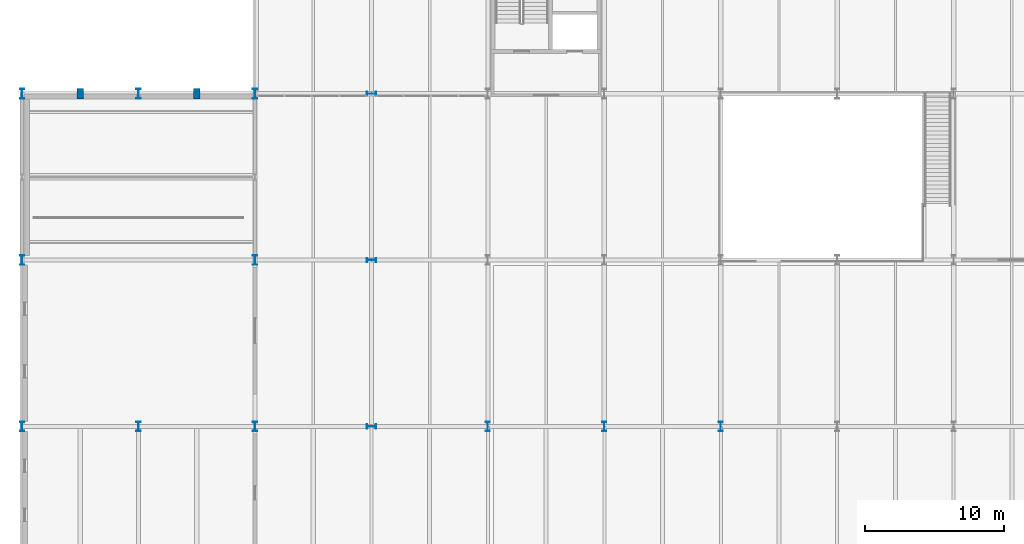
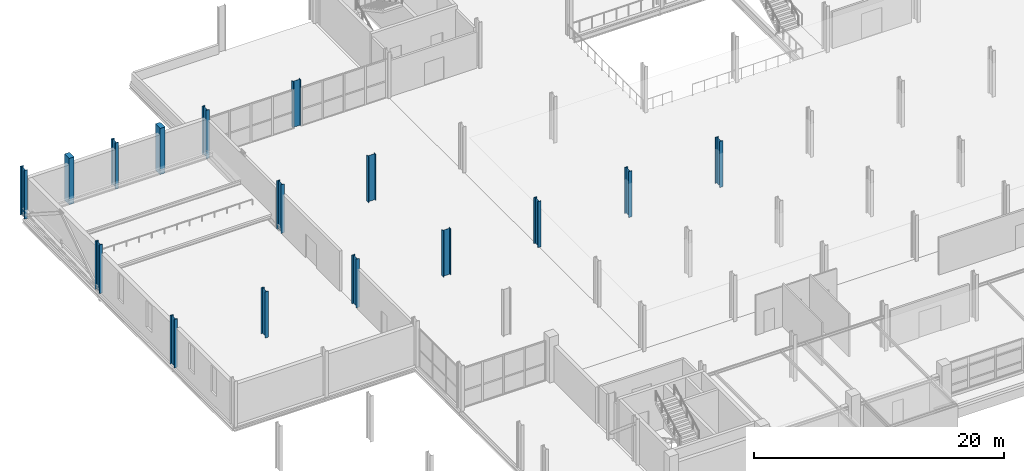
# One storey, part 3 of 113: 16 columns.
"""IFC4 building model written with IfcOpenShell, lengths in metres."""

from ifc_helpers import new_model, si_unit, direction, frame, origin, origin_2d, place, context, subcontext, project, spatial, rectangle, i_section, extrude, material, material_profile, profile_set, type_object, element, save


model = new_model("IFC4")

# Units and contexts
model_context = context("Model", 3, precision=1e-05, world=origin(), true_north=direction((0.0, 1.0)))
body_context = subcontext(model_context, "Body", "Model", "MODEL_VIEW")
ifc_project = project(units=[si_unit("LENGTHUNIT", "METRE"), si_unit("AREAUNIT", "SQUARE_METRE"), si_unit("VOLUMEUNIT", "CUBIC_METRE"), si_unit("PLANEANGLEUNIT", "RADIAN"), si_unit("MASSUNIT", "GRAM", prefix="KILO")], contexts=[model_context])

# Site, building, storey
site_placement = place(None, origin())
site = spatial("IfcSite", under=ifc_project, at=site_placement, CompositionType="ELEMENT")
building_placement = place(site_placement, origin())
building = spatial("IfcBuilding", under=site, at=building_placement, Name="Veltarok Museum of Natural Sciences", CompositionType="ELEMENT")
storey_placement = place(building_placement, frame((0.0, 0.0, 8.39990234375)))
storey = spatial("IfcBuildingStorey", under=building, at=storey_placement, Name="L01", CompositionType="ELEMENT", Elevation=8.39990234375)

# Columns
ifc_material_1 = material(Name="Concrete C40/50", Category="concrete")
ifc_material_profile_1 = material_profile(ifc_material_1, rectangle(XDim=0.449951171875, YDim=0.75, at=origin_2d()), Name="RC 450x750")
ifc_profile_set_1 = profile_set([ifc_material_profile_1], Name="Concrete C40/50")
column_type_1 = type_object("IfcColumnType", Name="Cabinet Facade Pilaster RC 450x750", PredefinedType="PILASTER", material=ifc_profile_set_1)
for number, where, z_axis, x_axis, name in (
    (1, (10.60009765625, 60.0, 0.0), (0.0, 0.0, 1.0), (1.0, 0.0, 0.0), "Auditorium North Pilaster L01-1"),
    (2, (19.0, 60.0, 0.0), (0.0, 0.0, 1.0), (1.0, 0.0, 0.0), "Auditorium North Pilaster L01-2"),
):
    element("IfcColumn", number, at=place(storey_placement, frame(where, z_axis=z_axis, x_axis=x_axis)), inside=storey, type_object=column_type_1, Name=name, PredefinedType="PILASTER", context=body_context, shape_type="SweptSolid", body=[
        extrude(rectangle(XDim=0.449951171875, YDim=0.75, at=origin_2d()), origin(), (0.0, 0.0, 1.0), 4.5),
    ])
ifc_material_2 = material(Name="Steel S355J2", Category="steel")
ifc_material_profile_2 = material_profile(ifc_material_2, i_section(OverallWidth=0.300048828125, OverallDepth=0.699951171875, WebThickness=0.01708984375, FlangeThickness=0.031982421875, FilletRadius=0.027099609375, at=origin_2d()), Name="HEB 700")
ifc_profile_set_2 = profile_set([ifc_material_profile_2], Name="Steel S355J2")
column_type_2 = type_object("IfcColumnType", Name="Mid-Rise Frame Column HEB 700", PredefinedType="COLUMN", material=ifc_profile_set_2)
column_1_placement = place(storey_placement, frame((14.800048828125, 36.0, 0.0), z_axis=(0.0, 0.0, 1.0), x_axis=(1.0, 0.0, 0.0)))
element("IfcColumn", 3, at=column_1_placement, inside=storey, type_object=column_type_2, Name="Column COL-S03 L01 2/E", PredefinedType="COLUMN", context=body_context, shape_type="SweptSolid", body=[
    extrude(i_section(OverallWidth=0.300048828125, OverallDepth=0.699951171875, WebThickness=0.01708984375, FlangeThickness=0.031982421875, FilletRadius=0.027099609375, at=origin_2d()), origin(), (0.0, 0.0, 1.0), 4.5),
])
for number, where, z_axis, x_axis, name in (
    (4, (23.199951171875, 36.0, 0.0), (0.0, 0.0, 1.0), (1.0, 0.0, 0.0), "Column COL-S03 L01 3/E"),
    (5, (23.199951171875, 48.0, 0.0), (0.0, 0.0, 1.0), (1.0, 0.0, 0.0), "Column COL-S03 L01 3/F"),
):
    element("IfcColumn", number, at=place(storey_placement, frame(where, z_axis=z_axis, x_axis=x_axis)), inside=storey, type_object=column_type_2, Name=name, PredefinedType="COLUMN", context=body_context, shape_type="SweptSolid", body=[
        extrude(i_section(OverallWidth=0.300048828125, OverallDepth=0.699951171875, WebThickness=0.01708984375, FlangeThickness=0.031982421875, FilletRadius=0.027099609375, at=origin_2d()), origin(), (0.0, 0.0, 1.0), 4.75),
    ])
for number, where, z_axis, x_axis, name in (
    (6, (31.60009765625, 36.0, 0.0), (0.0, 0.0, 1.0), (0.0, 1.0, 0.0), "Column COL-S03 L01 4/E"),
    (7, (31.60009765625, 48.0, 0.0), (0.0, 0.0, 1.0), (0.0, 1.0, 0.0), "Column COL-S03 L01 4/F"),
    (8, (40.0, 36.0, 0.0), (0.0, 0.0, 1.0), (1.0, 0.0, 0.0), "Column COL-S03 L01 5/E"),
    (9, (48.39990234375, 36.0, 0.0), (0.0, 0.0, 1.0), (1.0, 0.0, 0.0), "Column COL-S03 L01 6/E"),
    (10, (56.800048828125, 36.0, 0.0), (0.0, 0.0, 1.0), (1.0, 0.0, 0.0), "Column COL-S03 L01 7/E"),
):
    element("IfcColumn", number, at=place(storey_placement, frame(where, z_axis=z_axis, x_axis=x_axis)), inside=storey, type_object=column_type_2, Name=name, PredefinedType="COLUMN", context=body_context, shape_type="SweptSolid", body=[
        extrude(i_section(OverallWidth=0.300048828125, OverallDepth=0.699951171875, WebThickness=0.01708984375, FlangeThickness=0.031982421875, FilletRadius=0.027099609375, at=origin_2d()), origin(), (0.0, 0.0, 1.0), 4.5),
    ])
ifc_material_profile_3 = material_profile(ifc_material_2, i_section(OverallWidth=0.300048828125, OverallDepth=0.699951171875, WebThickness=0.01708984375, FlangeThickness=0.031982421875, FilletRadius=0.027099609375, at=origin_2d()), Name="HEB 700")
ifc_profile_set_3 = profile_set([ifc_material_profile_3], Name="Steel S355J2")
column_type_3 = type_object("IfcColumnType", Name="Perimeter Steel Column HEB 700", PredefinedType="COLUMN", material=ifc_profile_set_3)
for number, where, z_axis, x_axis, name in (
    (11, (6.39990234375, 36.0, 0.0), (0.0, 0.0, 1.0), (1.0, 0.0, 0.0), "Column COL-EXT01 L01 1/E"),
    (12, (6.39990234375, 48.0, 0.0), (0.0, 0.0, 1.0), (1.0, 0.0, 0.0), "Column COL-EXT01 L01 1/F"),
    (13, (6.39990234375, 60.0, 0.0), (0.0, 0.0, 1.0), (1.0, 0.0, 0.0), "Column COL-EXT01 L01 1/G"),
):
    element("IfcColumn", number, at=place(storey_placement, frame(where, z_axis=z_axis, x_axis=x_axis)), inside=storey, type_object=column_type_3, Name=name, PredefinedType="COLUMN", context=body_context, shape_type="SweptSolid", body=[
        extrude(i_section(OverallWidth=0.300048828125, OverallDepth=0.699951171875, WebThickness=0.01708984375, FlangeThickness=0.031982421875, FilletRadius=0.027099609375, at=origin_2d()), origin(), (0.0, 0.0, 1.0), 4.75),
    ])
column_2_placement = place(storey_placement, frame((14.800048828125, 60.0, 0.0), z_axis=(0.0, 0.0, 1.0), x_axis=(1.0, 0.0, 0.0)))
element("IfcColumn", 14, at=column_2_placement, inside=storey, type_object=column_type_3, Name="Column COL-EXT01 L01 2/G", PredefinedType="COLUMN", context=body_context, shape_type="SweptSolid", body=[
    extrude(i_section(OverallWidth=0.300048828125, OverallDepth=0.699951171875, WebThickness=0.01708984375, FlangeThickness=0.031982421875, FilletRadius=0.027099609375, at=origin_2d()), origin(), (0.0, 0.0, 1.0), 4.5),
])
column_3_placement = place(storey_placement, frame((23.199951171875, 60.0, 0.0), z_axis=(0.0, 0.0, 1.0), x_axis=(1.0, 0.0, 0.0)))
element("IfcColumn", 15, at=column_3_placement, inside=storey, type_object=column_type_3, Name="Column COL-EXT01 L01 3/G", PredefinedType="COLUMN", context=body_context, shape_type="SweptSolid", body=[
    extrude(i_section(OverallWidth=0.300048828125, OverallDepth=0.699951171875, WebThickness=0.01708984375, FlangeThickness=0.031982421875, FilletRadius=0.027099609375, at=origin_2d()), origin(), (0.0, 0.0, 1.0), 4.75),
])
column_4_placement = place(storey_placement, frame((31.60009765625, 60.0, 0.0), z_axis=(0.0, 0.0, 1.0), x_axis=(0.0, 1.0, 0.0)))
element("IfcColumn", 16, at=column_4_placement, inside=storey, type_object=column_type_3, Name="Column COL-EXT01 L01 4/G", PredefinedType="COLUMN", context=body_context, shape_type="SweptSolid", body=[
    extrude(i_section(OverallWidth=0.300048828125, OverallDepth=0.699951171875, WebThickness=0.01708984375, FlangeThickness=0.031982421875, FilletRadius=0.027099609375, at=origin_2d()), origin(), (0.0, 0.0, 1.0), 4.5),
])

save(model, "model.ifc")
